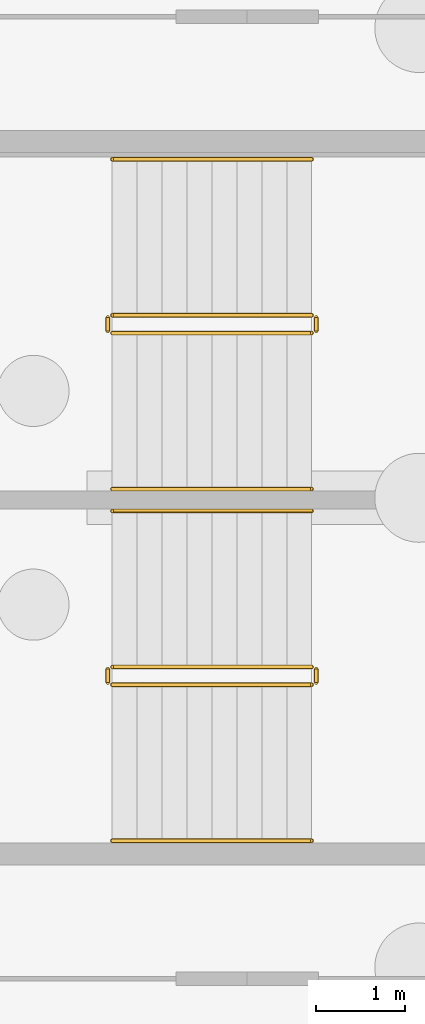
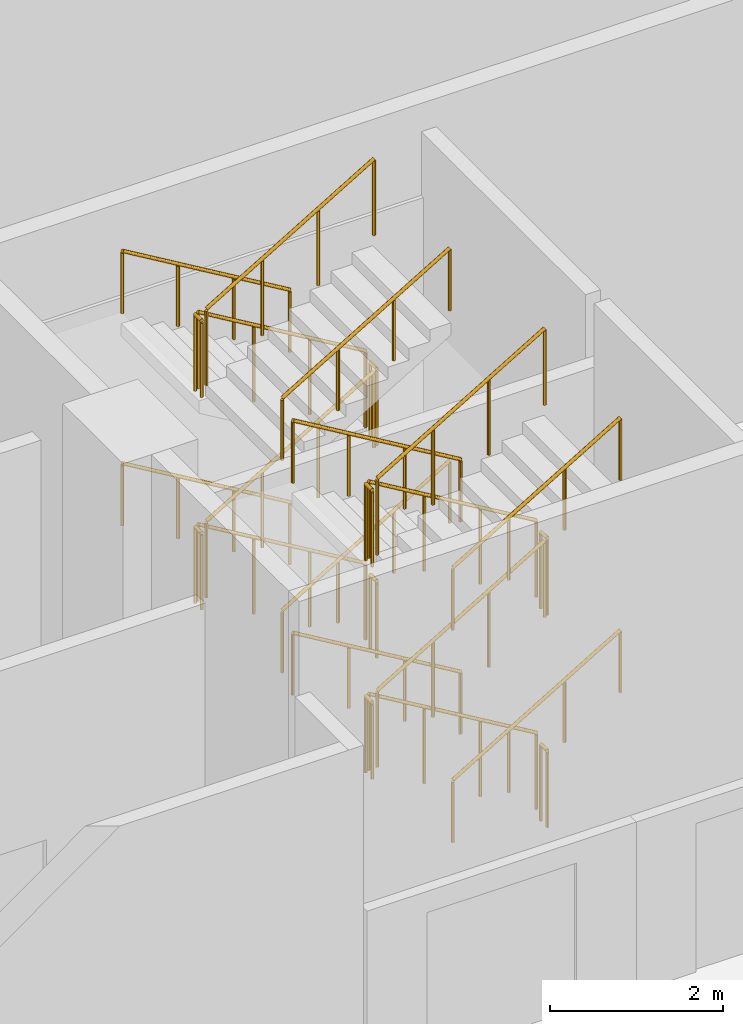
# One storey, part 31 of 39: 24 railings.
"""IFC4 building model written with IfcOpenShell, lengths in metres."""

from ifc_helpers import new_model, si_unit, direction, frame, origin, origin_2d, place, context, subcontext, project, spatial, circle, extrude, material, type_object, element, save


model = new_model("IFC4")

# Units and contexts
model_context = context("Model", 3, precision=1e-05, world=origin(), true_north=direction((0.0, 1.0)))
body_context = subcontext(model_context, "Body", "Model", "MODEL_VIEW")
ifc_project = project(units=[si_unit("LENGTHUNIT", "METRE"), si_unit("AREAUNIT", "SQUARE_METRE"), si_unit("VOLUMEUNIT", "CUBIC_METRE"), si_unit("PLANEANGLEUNIT", "RADIAN"), si_unit("MASSUNIT", "GRAM", prefix="KILO")], contexts=[model_context])

# Site, building, storey
site_placement = place(None, origin())
site = spatial("IfcSite", under=ifc_project, at=site_placement, CompositionType="ELEMENT")
building_placement = place(site_placement, origin())
building = spatial("IfcBuilding", under=site, at=building_placement, Name="Magnolia Steps Interchange", CompositionType="ELEMENT")
storey_placement = place(building_placement, frame((0.0, 0.0, -11.39990234375)))
storey = spatial("IfcBuildingStorey", under=building, at=storey_placement, Name="B2", CompositionType="ELEMENT", Elevation=-11.39990234375)

# Railings
ifc_material_1 = material(Name="Stainless steel grade 304", Category="steel")
railing_type_1 = type_object("IfcRailingType", Name="Stair guard 1100", PredefinedType="GUARDRAIL", material=ifc_material_1)
railing_1_placement = place(storey_placement, frame((57.52490234375, 62.09912109375, 0.16650390625)))
element("IfcRailing", 1, at=railing_1_placement, inside=storey, type_object=railing_type_1, Name="B2 ST9 stair guard 1", PredefinedType="GUARDRAIL", context=body_context, shape_type="SweptSolid", body=[
    extrude(circle(Radius=0.02392578125, at=origin_2d()), frame((0.0, 0.0, 1.076171875), z_axis=(-0.859264461869, 0.0, 0.511531606619), x_axis=(0.0, -1.0, 0.0)), (0.0, 0.0, 1.0), 2.60693359375),
    extrude(circle(Radius=0.02099609375, at=origin_2d()), origin(), (0.0, 0.0, 1.0), 1.052001953125),
    extrude(circle(Radius=0.02099609375, at=origin_2d()), frame((-0.74658203125, 0.0, 0.444580078125)), (0.0, 0.0, 1.0), 1.052001953125),
    extrude(circle(Radius=0.02099609375, at=origin_2d()), frame((-1.493408203125, 0.0, 0.888916015625)), (0.0, 0.0, 1.0), 1.052001953125),
    extrude(circle(Radius=0.02099609375, at=origin_2d()), frame((-2.239990234375, 0.0, 1.33349609375)), (0.0, 0.0, 1.0), 1.052001953125),
])
railing_2_placement = place(storey_placement, frame((55.235107421875, 62.074951171875, 1.5)))
element("IfcRailing", 2, at=railing_2_placement, inside=storey, type_object=railing_type_1, Name="B2 ST9 stair guard 2", PredefinedType="GUARDRAIL", context=body_context, shape_type="SweptSolid", body=[
    extrude(circle(Radius=0.02392578125, at=origin_2d()), frame((0.0, 0.0, 1.076171875), z_axis=(0.0, -1.0, 0.0), x_axis=(1.0, 0.0, 0.0)), (0.0, 0.0, 1.0), 0.14990234375),
    extrude(circle(Radius=0.02099609375, at=origin_2d()), origin(), (0.0, 0.0, 1.0), 1.052001953125),
    extrude(circle(Radius=0.02099609375, at=origin_2d()), frame((0.0, -0.14990234375, 0.0)), (0.0, 0.0, 1.0), 1.052001953125),
])
railing_3_placement = place(storey_placement, frame((55.284912109375, 61.90087890625, 1.66650390625)))
element("IfcRailing", 3, at=railing_3_placement, inside=storey, type_object=railing_type_1, Name="B2 ST9 stair guard 3", PredefinedType="GUARDRAIL", context=body_context, shape_type="SweptSolid", body=[
    extrude(circle(Radius=0.02392578125, at=origin_2d()), frame((0.0, 0.0, 1.076171875), z_axis=(0.859264461869, 0.0, 0.511531606619), x_axis=(0.0, 1.0, 0.0)), (0.0, 0.0, 1.0), 2.60693359375),
    extrude(circle(Radius=0.02099609375, at=origin_2d()), origin(), (0.0, 0.0, 1.0), 1.052001953125),
    extrude(circle(Radius=0.02099609375, at=origin_2d()), frame((0.74658203125, 0.0, 0.444580078125)), (0.0, 0.0, 1.0), 1.052001953125),
    extrude(circle(Radius=0.02099609375, at=origin_2d()), frame((1.493408203125, 0.0, 0.888916015625)), (0.0, 0.0, 1.0), 1.052001953125),
    extrude(circle(Radius=0.02099609375, at=origin_2d()), frame((2.239990234375, 0.0, 1.33349609375)), (0.0, 0.0, 1.0), 1.052001953125),
])
railing_4_placement = place(storey_placement, frame((57.574951171875, 62.074951171875, 3.0)))
element("IfcRailing", 4, at=railing_4_placement, inside=storey, type_object=railing_type_1, Name="B2 ST9 stair guard 4", PredefinedType="GUARDRAIL", context=body_context, shape_type="SweptSolid", body=[
    extrude(circle(Radius=0.02392578125, at=origin_2d()), frame((0.0, 0.0, 1.076171875), z_axis=(0.0, -1.0, 0.0), x_axis=(1.0, 0.0, 0.0)), (0.0, 0.0, 1.0), 0.14990234375),
    extrude(circle(Radius=0.02099609375, at=origin_2d()), origin(), (0.0, 0.0, 1.0), 1.052001953125),
    extrude(circle(Radius=0.02099609375, at=origin_2d()), frame((0.0, -0.14990234375, 0.0)), (0.0, 0.0, 1.0), 1.052001953125),
])
railing_5_placement = place(storey_placement, frame((57.52490234375, 62.09912109375, 3.16650390625)))
element("IfcRailing", 5, at=railing_5_placement, inside=storey, type_object=railing_type_1, Name="B2 ST9 stair guard 5", PredefinedType="GUARDRAIL", context=body_context, shape_type="SweptSolid", body=[
    extrude(circle(Radius=0.02392578125, at=origin_2d()), frame((0.0, 0.0, 1.076171875), z_axis=(-0.859264461869, 0.0, 0.511531606619), x_axis=(0.0, -1.0, 0.0)), (0.0, 0.0, 1.0), 2.60693359375),
    extrude(circle(Radius=0.02099609375, at=origin_2d()), origin(), (0.0, 0.0, 1.0), 1.052001953125),
    extrude(circle(Radius=0.02099609375, at=origin_2d()), frame((-0.74658203125, 0.0, 0.444580078125)), (0.0, 0.0, 1.0), 1.052001953125),
    extrude(circle(Radius=0.02099609375, at=origin_2d()), frame((-1.493408203125, 0.0, 0.888916015625)), (0.0, 0.0, 1.0), 1.052001953125),
    extrude(circle(Radius=0.02099609375, at=origin_2d()), frame((-2.239990234375, 0.0, 1.33349609375)), (0.0, 0.0, 1.0), 1.052001953125),
])
railing_6_placement = place(storey_placement, frame((55.235107421875, 62.074951171875, 4.5)))
element("IfcRailing", 6, at=railing_6_placement, inside=storey, type_object=railing_type_1, Name="B2 ST9 stair guard 6", PredefinedType="GUARDRAIL", context=body_context, shape_type="SweptSolid", body=[
    extrude(circle(Radius=0.02392578125, at=origin_2d()), frame((0.0, 0.0, 1.076171875), z_axis=(0.0, -1.0, 0.0), x_axis=(1.0, 0.0, 0.0)), (0.0, 0.0, 1.0), 0.14990234375),
    extrude(circle(Radius=0.02099609375, at=origin_2d()), origin(), (0.0, 0.0, 1.0), 1.052001953125),
    extrude(circle(Radius=0.02099609375, at=origin_2d()), frame((0.0, -0.14990234375, 0.0)), (0.0, 0.0, 1.0), 1.052001953125),
])
railing_7_placement = place(storey_placement, frame((55.284912109375, 61.90087890625, 4.66650390625)))
element("IfcRailing", 7, at=railing_7_placement, inside=storey, type_object=railing_type_1, Name="B2 ST9 stair guard 7", PredefinedType="GUARDRAIL", context=body_context, shape_type="SweptSolid", body=[
    extrude(circle(Radius=0.02392578125, at=origin_2d()), frame((0.0, 0.0, 1.076171875), z_axis=(0.859264461869, 0.0, 0.511531606619), x_axis=(0.0, 1.0, 0.0)), (0.0, 0.0, 1.0), 2.60693359375),
    extrude(circle(Radius=0.02099609375, at=origin_2d()), origin(), (0.0, 0.0, 1.0), 1.052001953125),
    extrude(circle(Radius=0.02099609375, at=origin_2d()), frame((0.74658203125, 0.0, 0.444580078125)), (0.0, 0.0, 1.0), 1.052001953125),
    extrude(circle(Radius=0.02099609375, at=origin_2d()), frame((1.493408203125, 0.0, 0.888916015625)), (0.0, 0.0, 1.0), 1.052001953125),
    extrude(circle(Radius=0.02099609375, at=origin_2d()), frame((2.239990234375, 0.0, 1.33349609375)), (0.0, 0.0, 1.0), 1.052001953125),
])
railing_8_placement = place(storey_placement, frame((57.574951171875, 62.074951171875, 0.0)))
element("IfcRailing", 8, at=railing_8_placement, inside=storey, type_object=railing_type_1, Name="B2 ST9 stair guard 8", PredefinedType="GUARDRAIL", context=body_context, shape_type="SweptSolid", body=[
    extrude(circle(Radius=0.02392578125, at=origin_2d()), frame((0.0, 0.0, 1.076171875), z_axis=(0.0, -1.0, 0.0), x_axis=(1.0, 0.0, 0.0)), (0.0, 0.0, 1.0), 0.14990234375),
    extrude(circle(Radius=0.02099609375, at=origin_2d()), origin(), (0.0, 0.0, 1.0), 1.052001953125),
    extrude(circle(Radius=0.02099609375, at=origin_2d()), frame((0.0, -0.14990234375, 0.0)), (0.0, 0.0, 1.0), 1.052001953125),
])
railing_9_placement = place(storey_placement, frame((57.52490234375, 66.049072265625, 0.16650390625)))
element("IfcRailing", 9, at=railing_9_placement, inside=storey, type_object=railing_type_1, Name="B2 ST10 stair guard 1", PredefinedType="GUARDRAIL", context=body_context, shape_type="SweptSolid", body=[
    extrude(circle(Radius=0.02392578125, at=origin_2d()), frame((0.0, 0.0, 1.076171875), z_axis=(-0.859264461869, 0.0, 0.511531606619), x_axis=(0.0, -1.0, 0.0)), (0.0, 0.0, 1.0), 2.60693359375),
    extrude(circle(Radius=0.02099609375, at=origin_2d()), origin(), (0.0, 0.0, 1.0), 1.052001953125),
    extrude(circle(Radius=0.02099609375, at=origin_2d()), frame((-0.74658203125, 0.0, 0.444580078125)), (0.0, 0.0, 1.0), 1.052001953125),
    extrude(circle(Radius=0.02099609375, at=origin_2d()), frame((-1.493408203125, 0.0, 0.888916015625)), (0.0, 0.0, 1.0), 1.052001953125),
    extrude(circle(Radius=0.02099609375, at=origin_2d()), frame((-2.239990234375, 0.0, 1.33349609375)), (0.0, 0.0, 1.0), 1.052001953125),
])
railing_10_placement = place(storey_placement, frame((55.235107421875, 66.02490234375, 1.5)))
element("IfcRailing", 10, at=railing_10_placement, inside=storey, type_object=railing_type_1, Name="B2 ST10 stair guard 2", PredefinedType="GUARDRAIL", context=body_context, shape_type="SweptSolid", body=[
    extrude(circle(Radius=0.02392578125, at=origin_2d()), frame((0.0, 0.0, 1.076171875), z_axis=(0.0, -1.0, 0.0), x_axis=(1.0, 0.0, 0.0)), (0.0, 0.0, 1.0), 0.14990234375),
    extrude(circle(Radius=0.02099609375, at=origin_2d()), origin(), (0.0, 0.0, 1.0), 1.052001953125),
    extrude(circle(Radius=0.02099609375, at=origin_2d()), frame((0.0, -0.14990234375, 0.0)), (0.0, 0.0, 1.0), 1.052001953125),
])
railing_11_placement = place(storey_placement, frame((55.284912109375, 65.85107421875, 1.66650390625)))
element("IfcRailing", 11, at=railing_11_placement, inside=storey, type_object=railing_type_1, Name="B2 ST10 stair guard 3", PredefinedType="GUARDRAIL", context=body_context, shape_type="SweptSolid", body=[
    extrude(circle(Radius=0.02392578125, at=origin_2d()), frame((0.0, 0.0, 1.076171875), z_axis=(0.859264461869, 0.0, 0.511531606619), x_axis=(0.0, 1.0, 0.0)), (0.0, 0.0, 1.0), 2.60693359375),
    extrude(circle(Radius=0.02099609375, at=origin_2d()), origin(), (0.0, 0.0, 1.0), 1.052001953125),
    extrude(circle(Radius=0.02099609375, at=origin_2d()), frame((0.74658203125, 0.0, 0.444580078125)), (0.0, 0.0, 1.0), 1.052001953125),
    extrude(circle(Radius=0.02099609375, at=origin_2d()), frame((1.493408203125, 0.0, 0.888916015625)), (0.0, 0.0, 1.0), 1.052001953125),
    extrude(circle(Radius=0.02099609375, at=origin_2d()), frame((2.239990234375, 0.0, 1.33349609375)), (0.0, 0.0, 1.0), 1.052001953125),
])
railing_12_placement = place(storey_placement, frame((57.574951171875, 66.02490234375, 3.0)))
element("IfcRailing", 12, at=railing_12_placement, inside=storey, type_object=railing_type_1, Name="B2 ST10 stair guard 4", PredefinedType="GUARDRAIL", context=body_context, shape_type="SweptSolid", body=[
    extrude(circle(Radius=0.02392578125, at=origin_2d()), frame((0.0, 0.0, 1.076171875), z_axis=(0.0, -1.0, 0.0), x_axis=(1.0, 0.0, 0.0)), (0.0, 0.0, 1.0), 0.14990234375),
    extrude(circle(Radius=0.02099609375, at=origin_2d()), origin(), (0.0, 0.0, 1.0), 1.052001953125),
    extrude(circle(Radius=0.02099609375, at=origin_2d()), frame((0.0, -0.14990234375, 0.0)), (0.0, 0.0, 1.0), 1.052001953125),
])
railing_13_placement = place(storey_placement, frame((57.52490234375, 66.049072265625, 3.16650390625)))
element("IfcRailing", 13, at=railing_13_placement, inside=storey, type_object=railing_type_1, Name="B2 ST10 stair guard 5", PredefinedType="GUARDRAIL", context=body_context, shape_type="SweptSolid", body=[
    extrude(circle(Radius=0.02392578125, at=origin_2d()), frame((0.0, 0.0, 1.076171875), z_axis=(-0.859264461869, 0.0, 0.511531606619), x_axis=(0.0, -1.0, 0.0)), (0.0, 0.0, 1.0), 2.60693359375),
    extrude(circle(Radius=0.02099609375, at=origin_2d()), origin(), (0.0, 0.0, 1.0), 1.052001953125),
    extrude(circle(Radius=0.02099609375, at=origin_2d()), frame((-0.74658203125, 0.0, 0.444580078125)), (0.0, 0.0, 1.0), 1.052001953125),
    extrude(circle(Radius=0.02099609375, at=origin_2d()), frame((-1.493408203125, 0.0, 0.888916015625)), (0.0, 0.0, 1.0), 1.052001953125),
    extrude(circle(Radius=0.02099609375, at=origin_2d()), frame((-2.239990234375, 0.0, 1.33349609375)), (0.0, 0.0, 1.0), 1.052001953125),
])
railing_14_placement = place(storey_placement, frame((55.235107421875, 66.02490234375, 4.5)))
element("IfcRailing", 14, at=railing_14_placement, inside=storey, type_object=railing_type_1, Name="B2 ST10 stair guard 6", PredefinedType="GUARDRAIL", context=body_context, shape_type="SweptSolid", body=[
    extrude(circle(Radius=0.02392578125, at=origin_2d()), frame((0.0, 0.0, 1.076171875), z_axis=(0.0, -1.0, 0.0), x_axis=(1.0, 0.0, 0.0)), (0.0, 0.0, 1.0), 0.14990234375),
    extrude(circle(Radius=0.02099609375, at=origin_2d()), origin(), (0.0, 0.0, 1.0), 1.052001953125),
    extrude(circle(Radius=0.02099609375, at=origin_2d()), frame((0.0, -0.14990234375, 0.0)), (0.0, 0.0, 1.0), 1.052001953125),
])
railing_15_placement = place(storey_placement, frame((55.284912109375, 65.85107421875, 4.66650390625)))
element("IfcRailing", 15, at=railing_15_placement, inside=storey, type_object=railing_type_1, Name="B2 ST10 stair guard 7", PredefinedType="GUARDRAIL", context=body_context, shape_type="SweptSolid", body=[
    extrude(circle(Radius=0.02392578125, at=origin_2d()), frame((0.0, 0.0, 1.076171875), z_axis=(0.859264461869, 0.0, 0.511531606619), x_axis=(0.0, 1.0, 0.0)), (0.0, 0.0, 1.0), 2.60693359375),
    extrude(circle(Radius=0.02099609375, at=origin_2d()), origin(), (0.0, 0.0, 1.0), 1.052001953125),
    extrude(circle(Radius=0.02099609375, at=origin_2d()), frame((0.74658203125, 0.0, 0.444580078125)), (0.0, 0.0, 1.0), 1.052001953125),
    extrude(circle(Radius=0.02099609375, at=origin_2d()), frame((1.493408203125, 0.0, 0.888916015625)), (0.0, 0.0, 1.0), 1.052001953125),
    extrude(circle(Radius=0.02099609375, at=origin_2d()), frame((2.239990234375, 0.0, 1.33349609375)), (0.0, 0.0, 1.0), 1.052001953125),
])
railing_16_placement = place(storey_placement, frame((57.574951171875, 66.02490234375, 0.0)))
element("IfcRailing", 16, at=railing_16_placement, inside=storey, type_object=railing_type_1, Name="B2 ST10 stair guard 8", PredefinedType="GUARDRAIL", context=body_context, shape_type="SweptSolid", body=[
    extrude(circle(Radius=0.02392578125, at=origin_2d()), frame((0.0, 0.0, 1.076171875), z_axis=(0.0, -1.0, 0.0), x_axis=(1.0, 0.0, 0.0)), (0.0, 0.0, 1.0), 0.14990234375),
    extrude(circle(Radius=0.02099609375, at=origin_2d()), origin(), (0.0, 0.0, 1.0), 1.052001953125),
    extrude(circle(Radius=0.02099609375, at=origin_2d()), frame((0.0, -0.14990234375, 0.0)), (0.0, 0.0, 1.0), 1.052001953125),
])
ifc_material_2 = material(Name="Stainless steel grade 304", Category="steel")
railing_type_2 = type_object("IfcRailingType", Name="Stair handrail 900", PredefinedType="HANDRAIL", material=ifc_material_2)
railing_17_placement = place(storey_placement, frame((57.52490234375, 63.85107421875, 0.16650390625)))
element("IfcRailing", 17, at=railing_17_placement, inside=storey, type_object=railing_type_2, Name="B2 ST9 stair handrail 1", PredefinedType="HANDRAIL", context=body_context, shape_type="SweptSolid", body=[
    extrude(circle(Radius=0.02392578125, at=origin_2d()), frame((0.0, 0.0, 0.8759765625), z_axis=(-0.859264461869, 0.0, 0.511531606619), x_axis=(0.0, -1.0, 0.0)), (0.0, 0.0, 1.0), 2.60693359375),
    extrude(circle(Radius=0.02099609375, at=origin_2d()), origin(), (0.0, 0.0, 1.0), 0.851806640625),
    extrude(circle(Radius=0.02099609375, at=origin_2d()), frame((-0.74658203125, 0.0, 0.444580078125)), (0.0, 0.0, 1.0), 0.851806640625),
    extrude(circle(Radius=0.02099609375, at=origin_2d()), frame((-1.493408203125, 0.0, 0.888916015625)), (0.0, 0.0, 1.0), 0.851806640625),
    extrude(circle(Radius=0.02099609375, at=origin_2d()), frame((-2.239990234375, 0.0, 1.33349609375)), (0.0, 0.0, 1.0), 0.851806640625),
])
railing_18_placement = place(storey_placement, frame((55.284912109375, 60.14892578125, 1.66650390625)))
element("IfcRailing", 18, at=railing_18_placement, inside=storey, type_object=railing_type_2, Name="B2 ST9 stair handrail 2", PredefinedType="HANDRAIL", context=body_context, shape_type="SweptSolid", body=[
    extrude(circle(Radius=0.02392578125, at=origin_2d()), frame((0.0, 0.0, 0.8759765625), z_axis=(0.859264461869, 0.0, 0.511531606619), x_axis=(0.0, 1.0, 0.0)), (0.0, 0.0, 1.0), 2.60693359375),
    extrude(circle(Radius=0.02099609375, at=origin_2d()), origin(), (0.0, 0.0, 1.0), 0.851806640625),
    extrude(circle(Radius=0.02099609375, at=origin_2d()), frame((0.74658203125, 0.0, 0.444580078125)), (0.0, 0.0, 1.0), 0.851806640625),
    extrude(circle(Radius=0.02099609375, at=origin_2d()), frame((1.493408203125, 0.0, 0.888916015625)), (0.0, 0.0, 1.0), 0.851806640625),
    extrude(circle(Radius=0.02099609375, at=origin_2d()), frame((2.239990234375, 0.0, 1.33349609375)), (0.0, 0.0, 1.0), 0.851806640625),
])
railing_19_placement = place(storey_placement, frame((57.52490234375, 63.85107421875, 3.16650390625)))
element("IfcRailing", 19, at=railing_19_placement, inside=storey, type_object=railing_type_2, Name="B2 ST9 stair handrail 3", PredefinedType="HANDRAIL", context=body_context, shape_type="SweptSolid", body=[
    extrude(circle(Radius=0.02392578125, at=origin_2d()), frame((0.0, 0.0, 0.8759765625), z_axis=(-0.859264461869, 0.0, 0.511531606619), x_axis=(0.0, -1.0, 0.0)), (0.0, 0.0, 1.0), 2.60693359375),
    extrude(circle(Radius=0.02099609375, at=origin_2d()), origin(), (0.0, 0.0, 1.0), 0.851806640625),
    extrude(circle(Radius=0.02099609375, at=origin_2d()), frame((-0.74658203125, 0.0, 0.444580078125)), (0.0, 0.0, 1.0), 0.851806640625),
    extrude(circle(Radius=0.02099609375, at=origin_2d()), frame((-1.493408203125, 0.0, 0.888916015625)), (0.0, 0.0, 1.0), 0.851806640625),
    extrude(circle(Radius=0.02099609375, at=origin_2d()), frame((-2.239990234375, 0.0, 1.33349609375)), (0.0, 0.0, 1.0), 0.851806640625),
])
railing_20_placement = place(storey_placement, frame((55.284912109375, 60.14892578125, 4.66650390625)))
element("IfcRailing", 20, at=railing_20_placement, inside=storey, type_object=railing_type_2, Name="B2 ST9 stair handrail 4", PredefinedType="HANDRAIL", context=body_context, shape_type="SweptSolid", body=[
    extrude(circle(Radius=0.02392578125, at=origin_2d()), frame((0.0, 0.0, 0.8759765625), z_axis=(0.859264461869, 0.0, 0.511531606619), x_axis=(0.0, 1.0, 0.0)), (0.0, 0.0, 1.0), 2.60693359375),
    extrude(circle(Radius=0.02099609375, at=origin_2d()), origin(), (0.0, 0.0, 1.0), 0.851806640625),
    extrude(circle(Radius=0.02099609375, at=origin_2d()), frame((0.74658203125, 0.0, 0.444580078125)), (0.0, 0.0, 1.0), 0.851806640625),
    extrude(circle(Radius=0.02099609375, at=origin_2d()), frame((1.493408203125, 0.0, 0.888916015625)), (0.0, 0.0, 1.0), 0.851806640625),
    extrude(circle(Radius=0.02099609375, at=origin_2d()), frame((2.239990234375, 0.0, 1.33349609375)), (0.0, 0.0, 1.0), 0.851806640625),
])
railing_21_placement = place(storey_placement, frame((57.52490234375, 67.801025390625, 0.16650390625)))
element("IfcRailing", 21, at=railing_21_placement, inside=storey, type_object=railing_type_2, Name="B2 ST10 stair handrail 1", PredefinedType="HANDRAIL", context=body_context, shape_type="SweptSolid", body=[
    extrude(circle(Radius=0.02392578125, at=origin_2d()), frame((0.0, 0.0, 0.8759765625), z_axis=(-0.859264461869, 0.0, 0.511531606619), x_axis=(0.0, -1.0, 0.0)), (0.0, 0.0, 1.0), 2.60693359375),
    extrude(circle(Radius=0.02099609375, at=origin_2d()), origin(), (0.0, 0.0, 1.0), 0.851806640625),
    extrude(circle(Radius=0.02099609375, at=origin_2d()), frame((-0.74658203125, 0.0, 0.444580078125)), (0.0, 0.0, 1.0), 0.851806640625),
    extrude(circle(Radius=0.02099609375, at=origin_2d()), frame((-1.493408203125, 0.0, 0.888916015625)), (0.0, 0.0, 1.0), 0.851806640625),
    extrude(circle(Radius=0.02099609375, at=origin_2d()), frame((-2.239990234375, 0.0, 1.33349609375)), (0.0, 0.0, 1.0), 0.851806640625),
])
railing_22_placement = place(storey_placement, frame((55.284912109375, 64.09912109375, 1.66650390625)))
element("IfcRailing", 22, at=railing_22_placement, inside=storey, type_object=railing_type_2, Name="B2 ST10 stair handrail 2", PredefinedType="HANDRAIL", context=body_context, shape_type="SweptSolid", body=[
    extrude(circle(Radius=0.02392578125, at=origin_2d()), frame((0.0, 0.0, 0.8759765625), z_axis=(0.859264461869, 0.0, 0.511531606619), x_axis=(0.0, 1.0, 0.0)), (0.0, 0.0, 1.0), 2.60693359375),
    extrude(circle(Radius=0.02099609375, at=origin_2d()), origin(), (0.0, 0.0, 1.0), 0.851806640625),
    extrude(circle(Radius=0.02099609375, at=origin_2d()), frame((0.74658203125, 0.0, 0.444580078125)), (0.0, 0.0, 1.0), 0.851806640625),
    extrude(circle(Radius=0.02099609375, at=origin_2d()), frame((1.493408203125, 0.0, 0.888916015625)), (0.0, 0.0, 1.0), 0.851806640625),
    extrude(circle(Radius=0.02099609375, at=origin_2d()), frame((2.239990234375, 0.0, 1.33349609375)), (0.0, 0.0, 1.0), 0.851806640625),
])
railing_23_placement = place(storey_placement, frame((57.52490234375, 67.801025390625, 3.16650390625)))
element("IfcRailing", 23, at=railing_23_placement, inside=storey, type_object=railing_type_2, Name="B2 ST10 stair handrail 3", PredefinedType="HANDRAIL", context=body_context, shape_type="SweptSolid", body=[
    extrude(circle(Radius=0.02392578125, at=origin_2d()), frame((0.0, 0.0, 0.8759765625), z_axis=(-0.859264461869, 0.0, 0.511531606619), x_axis=(0.0, -1.0, 0.0)), (0.0, 0.0, 1.0), 2.60693359375),
    extrude(circle(Radius=0.02099609375, at=origin_2d()), origin(), (0.0, 0.0, 1.0), 0.851806640625),
    extrude(circle(Radius=0.02099609375, at=origin_2d()), frame((-0.74658203125, 0.0, 0.444580078125)), (0.0, 0.0, 1.0), 0.851806640625),
    extrude(circle(Radius=0.02099609375, at=origin_2d()), frame((-1.493408203125, 0.0, 0.888916015625)), (0.0, 0.0, 1.0), 0.851806640625),
    extrude(circle(Radius=0.02099609375, at=origin_2d()), frame((-2.239990234375, 0.0, 1.33349609375)), (0.0, 0.0, 1.0), 0.851806640625),
])
railing_24_placement = place(storey_placement, frame((55.284912109375, 64.09912109375, 4.66650390625)))
element("IfcRailing", 24, at=railing_24_placement, inside=storey, type_object=railing_type_2, Name="B2 ST10 stair handrail 4", PredefinedType="HANDRAIL", context=body_context, shape_type="SweptSolid", body=[
    extrude(circle(Radius=0.02392578125, at=origin_2d()), frame((0.0, 0.0, 0.8759765625), z_axis=(0.859264461869, 0.0, 0.511531606619), x_axis=(0.0, 1.0, 0.0)), (0.0, 0.0, 1.0), 2.60693359375),
    extrude(circle(Radius=0.02099609375, at=origin_2d()), origin(), (0.0, 0.0, 1.0), 0.851806640625),
    extrude(circle(Radius=0.02099609375, at=origin_2d()), frame((0.74658203125, 0.0, 0.444580078125)), (0.0, 0.0, 1.0), 0.851806640625),
    extrude(circle(Radius=0.02099609375, at=origin_2d()), frame((1.493408203125, 0.0, 0.888916015625)), (0.0, 0.0, 1.0), 0.851806640625),
    extrude(circle(Radius=0.02099609375, at=origin_2d()), frame((2.239990234375, 0.0, 1.33349609375)), (0.0, 0.0, 1.0), 0.851806640625),
])

save(model, "model.ifc")
